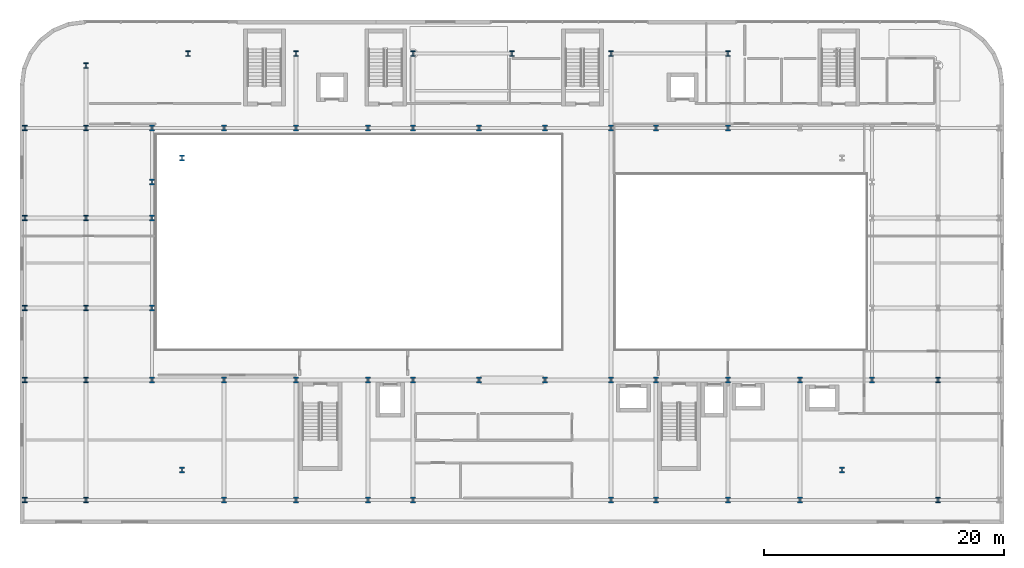
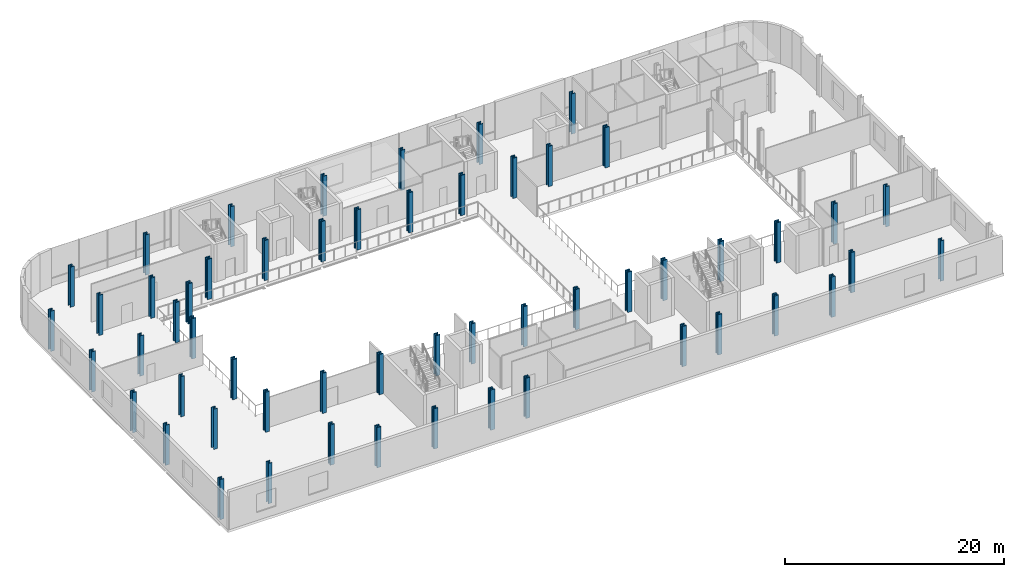
# One storey, part 1 of 25: 55 columns.
"""IFC4 building model written with IfcOpenShell, lengths in metres."""

from ifc_helpers import new_model, si_unit, direction, frame, origin, origin_2d, place, context, subcontext, project, spatial, i_section, extrude, material, material_profile, profile_set, type_object, element, save


model = new_model("IFC4")

# Units and contexts
model_context = context("Model", 3, precision=1e-05, world=origin(), true_north=direction((0.0, 1.0)))
body_context = subcontext(model_context, "Body", "Model", "MODEL_VIEW")
ifc_project = project(units=[si_unit("LENGTHUNIT", "METRE"), si_unit("AREAUNIT", "SQUARE_METRE"), si_unit("VOLUMEUNIT", "CUBIC_METRE"), si_unit("PLANEANGLEUNIT", "RADIAN"), si_unit("MASSUNIT", "GRAM", prefix="KILO")], contexts=[model_context])

# Site, building, storey
site_placement = place(None, origin())
site = spatial("IfcSite", under=ifc_project, at=site_placement, CompositionType="ELEMENT")
building_placement = place(site_placement, origin())
building = spatial("IfcBuilding", under=site, at=building_placement, Name="Brevholm Reach", CompositionType="ELEMENT")
storey_placement = place(building_placement, frame((0.0, 0.0, 9.0)))
storey = spatial("IfcBuildingStorey", under=building, at=storey_placement, Name="L02", CompositionType="ELEMENT", Elevation=9.0)

# Columns
ifc_material_1 = material(Name="Structural Steel S460ML", Category="steel")
ifc_material_profile_1 = material_profile(ifc_material_1, i_section(OverallWidth=0.427978515625, OverallDepth=0.468994140625, WebThickness=0.077880859375, FlangeThickness=0.125, FilletRadius=0.014892578125, at=origin_2d()), Name="HD 400x1086")
ifc_profile_set_1 = profile_set([ifc_material_profile_1], Name="Structural Steel S460ML")
column_type_1 = type_object("IfcColumnType", Name="COL-HD1", PredefinedType="COLUMN", material=ifc_profile_set_1)
for number, where, z_axis, x_axis, name in (
    (1, (0.0, 10.0, 0.0), (0.0, 0.0, 1.0), (1.0, 0.0, 0.0), "L02 Column 12"),
    (2, (0.0, 16.0, 0.0), (0.0, 0.0, 1.0), (1.0, 0.0, 0.0), "L02 Column 13"),
    (3, (0.0, 23.5, 0.0), (0.0, 0.0, 1.0), (1.0, 0.0, 0.0), "L02 Column 14"),
    (4, (0.0, 26.5, 0.0), (0.0, 0.0, 1.0), (1.0, 0.0, 0.0), "L02 Column 15"),
    (5, (0.0, 31.0, 0.0), (0.0, 0.0, 1.0), (1.0, 0.0, 0.0), "L02 Column 16"),
    (6, (2.5, 2.5, 0.0), (0.0, 0.0, 1.0), (1.0, 0.0, 0.0), "L02 Column 17"),
    (7, (2.5, 28.5, 0.0), (0.0, 0.0, 1.0), (1.0, 0.0, 0.0), "L02 Column 18"),
    (8, (6.0, 0.0, 0.0), (0.0, 0.0, 1.0), (1.0, 0.0, 0.0), "L02 Column 20"),
    (9, (6.0, 10.0, 0.0), (0.0, 0.0, 1.0), (1.0, 0.0, 0.0), "L02 Column 21"),
    (10, (6.0, 31.0, 0.0), (0.0, 0.0, 1.0), (1.0, 0.0, 0.0), "L02 Column 22"),
    (11, (12.0, 0.0, 0.0), (0.0, 0.0, 1.0), (1.0, 0.0, 0.0), "L02 Column 23"),
    (12, (12.0, 10.0, 0.0), (0.0, 0.0, 1.0), (1.0, 0.0, 0.0), "L02 Column 24"),
    (13, (12.0, 31.0, 0.0), (0.0, 0.0, 1.0), (1.0, 0.0, 0.0), "L02 Column 25"),
    (14, (18.0, 0.0, 0.0), (0.0, 0.0, 1.0), (1.0, 0.0, 0.0), "L02 Column 27"),
    (15, (18.0, 10.0, 0.0), (0.0, 0.0, 1.0), (1.0, 0.0, 0.0), "L02 Column 28"),
    (16, (18.0, 31.0, 0.0), (0.0, 0.0, 1.0), (1.0, 0.0, 0.0), "L02 Column 29"),
    (17, (21.75, 0.0, 0.0), (0.0, 0.0, 1.0), (1.0, 0.0, 0.0), "L02 Column 30"),
    (18, (21.75, 10.0, 0.0), (0.0, 0.0, 1.0), (1.0, 0.0, 0.0), "L02 Column 31"),
    (19, (21.75, 31.0, 0.0), (0.0, 0.0, 1.0), (1.0, 0.0, 0.0), "L02 Column 32"),
    (20, (27.25, 10.0, 0.0), (0.0, 0.0, 1.0), (1.0, 0.0, 0.0), "L02 Column 34"),
    (21, (27.25, 31.0, 0.0), (0.0, 0.0, 1.0), (1.0, 0.0, 0.0), "L02 Column 35"),
    (22, (32.75, 10.0, 0.0), (0.0, 0.0, 1.0), (1.0, 0.0, 0.0), "L02 Column 37"),
    (23, (32.75, 31.0, 0.0), (0.0, 0.0, 1.0), (1.0, 0.0, 0.0), "L02 Column 38"),
    (24, (38.25, 0.0, 0.0), (0.0, 0.0, 1.0), (1.0, 0.0, 0.0), "L02 Column 39"),
    (25, (38.25, 10.0, 0.0), (0.0, 0.0, 1.0), (1.0, 0.0, 0.0), "L02 Column 40"),
    (26, (38.25, 31.0, 0.0), (0.0, 0.0, 1.0), (1.0, 0.0, 0.0), "L02 Column 41"),
    (27, (42.0, 0.0, 0.0), (0.0, 0.0, 1.0), (1.0, 0.0, 0.0), "L02 Column 43"),
    (28, (42.0, 10.0, 0.0), (0.0, 0.0, 1.0), (1.0, 0.0, 0.0), "L02 Column 44"),
    (29, (42.0, 31.0, 0.0), (0.0, 0.0, 1.0), (1.0, 0.0, 0.0), "L02 Column 45"),
    (30, (48.0, 0.0, 0.0), (0.0, 0.0, 1.0), (1.0, 0.0, 0.0), "L02 Column 46"),
    (31, (48.0, 10.0, 0.0), (0.0, 0.0, 1.0), (1.0, 0.0, 0.0), "L02 Column 47"),
    (32, (48.0, 31.0, 0.0), (0.0, 0.0, 1.0), (1.0, 0.0, 0.0), "L02 Column 48"),
    (33, (54.0, 0.0, 0.0), (0.0, 0.0, 1.0), (1.0, 0.0, 0.0), "L02 Column 50"),
    (34, (54.0, 10.0, 0.0), (0.0, 0.0, 1.0), (1.0, 0.0, 0.0), "L02 Column 51"),
    (35, (57.5, 2.5, 0.0), (0.0, 0.0, 1.0), (1.0, 0.0, 0.0), "L02 Column 54"),
    (36, (60.0, 10.0, 0.0), (0.0, 0.0, 1.0), (1.0, 0.0, 0.0), "L02 Column 56"),
):
    element("IfcColumn", number, at=place(storey_placement, frame(where, z_axis=z_axis, x_axis=x_axis)), inside=storey, type_object=column_type_1, Name=name, PredefinedType="COLUMN", context=body_context, shape_type="SweptSolid", body=[
        extrude(i_section(OverallWidth=0.427978515625, OverallDepth=0.468994140625, WebThickness=0.077880859375, FlangeThickness=0.125, FilletRadius=0.014892578125, at=origin_2d()), origin(), (0.0, 0.0, 1.0), 4.5),
    ])
ifc_material_2 = material(Name="Structural Steel S460ML", Category="steel")
ifc_material_profile_2 = material_profile(ifc_material_2, i_section(OverallWidth=0.412109375, OverallDepth=0.4365234375, WebThickness=0.035888671875, FlangeThickness=0.05810546875, FilletRadius=0.01513671875, at=origin_2d()), Name="UKC 356x406x467")
ifc_profile_set_2 = profile_set([ifc_material_profile_2], Name="Structural Steel S460ML")
column_type_2 = type_object("IfcColumnType", Name="COL-UC3", PredefinedType="COLUMN", material=ifc_profile_set_2)
for number, where, z_axis, x_axis, name in (
    (37, (-10.60009765625, 0.0, 0.0), (0.0, 0.0, 1.0), (1.0, 0.0, 0.0), "L02 Column 01"),
    (38, (-10.60009765625, 10.0, 0.0), (0.0, 0.0, 1.0), (1.0, 0.0, 0.0), "L02 Column 02"),
    (39, (-10.60009765625, 16.0, 0.0), (0.0, 0.0, 1.0), (1.0, 0.0, 0.0), "L02 Column 03"),
    (40, (-10.60009765625, 23.5, 0.0), (0.0, 0.0, 1.0), (1.0, 0.0, 0.0), "L02 Column 04"),
    (41, (-10.60009765625, 31.0, 0.0), (0.0, 0.0, 1.0), (1.0, 0.0, 0.0), "L02 Column 05"),
    (42, (-5.5, 0.0, 0.0), (0.0, 0.0, 1.0), (1.0, 0.0, 0.0), "L02 Column 06"),
    (43, (-5.5, 10.0, 0.0), (0.0, 0.0, 1.0), (1.0, 0.0, 0.0), "L02 Column 07"),
    (44, (-5.5, 16.0, 0.0), (0.0, 0.0, 1.0), (1.0, 0.0, 0.0), "L02 Column 08"),
    (45, (-5.5, 23.5, 0.0), (0.0, 0.0, 1.0), (1.0, 0.0, 0.0), "L02 Column 09"),
    (46, (-5.5, 31.0, 0.0), (0.0, 0.0, 1.0), (1.0, 0.0, 0.0), "L02 Column 10"),
    (47, (-5.5, 36.199951171875, 0.0), (0.0, 0.0, 1.0), (1.0, 0.0, 0.0), "L02 Column 11"),
    (48, (3.0, 37.199951171875, 0.0), (0.0, 0.0, 1.0), (1.0, 0.0, 0.0), "L02 Column 19"),
    (49, (12.0, 37.199951171875, 0.0), (0.0, 0.0, 1.0), (1.0, 0.0, 0.0), "L02 Column 26"),
    (50, (21.75, 37.199951171875, 0.0), (0.0, 0.0, 1.0), (1.0, 0.0, 0.0), "L02 Column 33"),
    (51, (30.0, 37.199951171875, 0.0), (0.0, 0.0, 1.0), (1.0, 0.0, 0.0), "L02 Column 36"),
    (52, (38.25, 37.199951171875, 0.0), (0.0, 0.0, 1.0), (1.0, 0.0, 0.0), "L02 Column 42"),
    (53, (48.0, 37.199951171875, 0.0), (0.0, 0.0, 1.0), (1.0, 0.0, 0.0), "L02 Column 49"),
    (54, (65.5, 0.0, 0.0), (0.0, 0.0, 1.0), (1.0, 0.0, 0.0), "L02 Column 61"),
    (55, (65.5, 10.0, 0.0), (0.0, 0.0, 1.0), (1.0, 0.0, 0.0), "L02 Column 62"),
):
    element("IfcColumn", number, at=place(storey_placement, frame(where, z_axis=z_axis, x_axis=x_axis)), inside=storey, type_object=column_type_2, Name=name, PredefinedType="COLUMN", context=body_context, shape_type="SweptSolid", body=[
        extrude(i_section(OverallWidth=0.412109375, OverallDepth=0.4365234375, WebThickness=0.035888671875, FlangeThickness=0.05810546875, FilletRadius=0.01513671875, at=origin_2d()), origin(), (0.0, 0.0, 1.0), 4.5),
    ])

save(model, "model.ifc")
